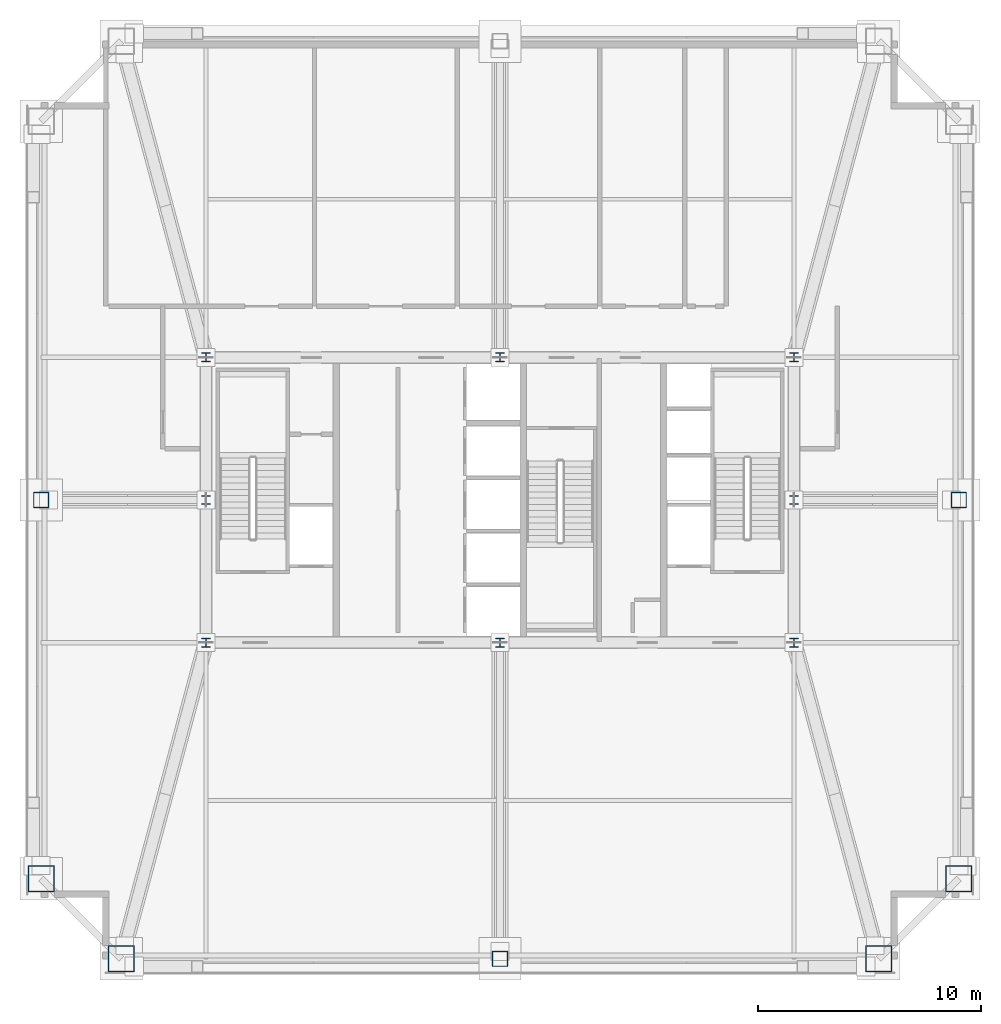
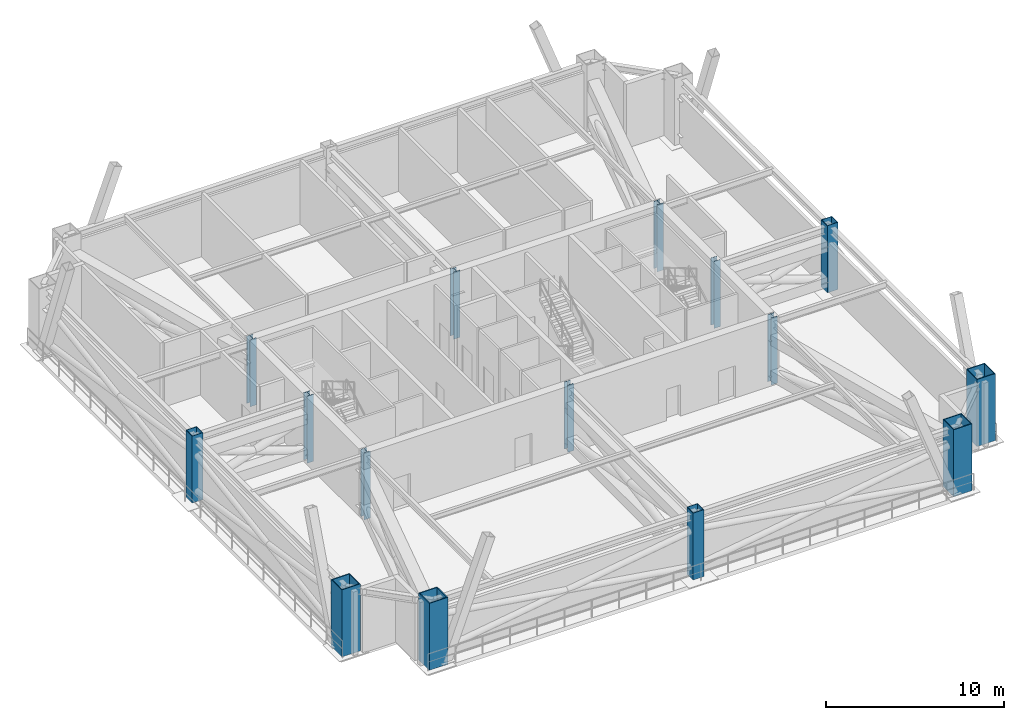
# One storey, part 1 of 9: 15 columns.
"""IFC4 building model written with IfcOpenShell, lengths in metres."""

import ifcopenshell
import ifcopenshell.guid

model = None  # the IFC model being written
_history = None  # IfcOwnerHistory: only IFC2X3 demands one
_inside = {}  # id of a spatial element -> (the spatial element, [elements in it])
_under = {}  # id of a project, library or spatial element -> (it, [spatial elements below it])
_declared = {}  # id of a project -> (the project, [libraries it declares])
_typed = {}  # id of a type object -> (the type object, [elements of that type])
_made_of = {}  # id of a material, layer set ... -> (it, [elements and type objects made of it])


def new_model(schema):
    """Start an empty IFC model of exactly this schema.

    Asked for "IFC4X3", IfcOpenShell would pick the latest addendum, in which some entities
    have other attributes; the version numbers below select the first issue.
    IFC2X3 requires an IfcOwnerHistory on every rooted entity: one is made here for all.
    """
    global model, _history
    if schema == "IFC4X3":
        model = ifcopenshell.file(schema_version=(4, 3, 0, 0))
    else:
        model = ifcopenshell.file(schema=schema)
    _inside.clear()
    _under.clear()
    _declared.clear()
    _typed.clear()
    _made_of.clear()
    _history = None
    if model.schema == "IFC2X3":
        org = make("IfcOrganization", Name="unknown")
        user = make(
            "IfcPersonAndOrganization",
            ThePerson=make("IfcPerson", FamilyName="unknown"),
            TheOrganization=org,
        )
        app = make(
            "IfcApplication",
            ApplicationDeveloper=org,
            Version="unknown",
            ApplicationFullName="unknown",
            ApplicationIdentifier="unknown",
        )
        _history = make(
            "IfcOwnerHistory",
            OwningUser=user,
            OwningApplication=app,
            ChangeAction="ADDED",
            CreationDate=0,
        )
    return model


def make(cls, **values):
    """One entity of the class cls with the attributes given. An attribute that is None is left unset."""
    return model.create_entity(
        cls, **{name: value for name, value in values.items() if value is not None}
    )


def rooted(cls, **values):
    """An entity with a GlobalId (a new one), such as an element, a storey or a relation."""
    return make(cls, GlobalId=ifcopenshell.guid.new(), OwnerHistory=_history, **values)


def si_unit(unit_type, name, prefix=None):
    """IfcSIUnit, for example si_unit("LENGTHUNIT", "METRE", prefix="MILLI")."""
    return make("IfcSIUnit", UnitType=unit_type, Prefix=prefix, Name=name)


def assignment(units):
    """IfcUnitAssignment: the units of a project."""
    return None if units is None else make("IfcUnitAssignment", Units=units)


def point(xyz):
    """IfcCartesianPoint."""
    return None if xyz is None else make("IfcCartesianPoint", Coordinates=xyz)


def direction(xyz):
    """IfcDirection."""
    return None if xyz is None else make("IfcDirection", DirectionRatios=xyz)


def frame(location, z_axis=None, x_axis=None):
    """IfcAxis2Placement3D, a coordinate frame: its origin and axes. An axis left out is left unset."""
    return make(
        "IfcAxis2Placement3D",
        Location=point(location),
        Axis=direction(z_axis),
        RefDirection=direction(x_axis),
    )


def frame_2d(location, x_axis=None):
    """IfcAxis2Placement2D, a coordinate frame in the plane: its origin and x axis."""
    return make(
        "IfcAxis2Placement2D", Location=point(location), RefDirection=direction(x_axis)
    )


def origin():
    """The frame at (0, 0, 0) with its axes left unset."""
    return frame((0.0, 0.0, 0.0))


def origin_2d():
    """The frame at (0, 0) in the plane with its x axis left unset."""
    return frame_2d((0.0, 0.0))


def place(relative_to, where):
    """IfcLocalPlacement: puts the frame where relative to a parent placement (None: the world)."""
    return make(
        "IfcLocalPlacement", PlacementRelTo=relative_to, RelativePlacement=where
    )


def context(
    kind, dimensions, precision=None, world=None, true_north=None, identifier=None
):
    """IfcGeometricRepresentationContext, for example the 3D "Model" context."""
    return make(
        "IfcGeometricRepresentationContext",
        ContextIdentifier=identifier,
        ContextType=kind,
        CoordinateSpaceDimension=dimensions,
        Precision=precision,
        WorldCoordinateSystem=world,
        TrueNorth=true_north,
    )


def subcontext(parent, identifier, kind, view, scale=None):
    """IfcGeometricRepresentationSubContext, for example "Body" below "Model"."""
    return make(
        "IfcGeometricRepresentationSubContext",
        ContextIdentifier=identifier,
        ContextType=kind,
        ParentContext=parent,
        TargetScale=scale,
        TargetView=view,
    )


def project(units=None, contexts=None):
    """IfcProject with its units and contexts."""
    return rooted(
        "IfcProject",
        Name="project",
        RepresentationContexts=contexts,
        UnitsInContext=assignment(units),
    )


def spatial(cls, under=None, at=None, **own):
    """A site, building, storey or space (cls), placed at a placement, below another one or the project."""
    s = rooted(cls, ObjectPlacement=at, **own)
    if under is not None:
        _under.setdefault(under.id(), (under, []))[1].append(s)
    return s


def profile(cls, at=None, kind="AREA", **sizes):
    """A parametric profile (cls). Its sizes go by their IFC names, for example OverallWidth=200.0."""
    return make(cls, ProfileType=kind, Position=at, **sizes)


def hollow_rectangle(**sizes):
    """IfcRectangleHollowProfileDef."""
    return profile("IfcRectangleHollowProfileDef", **sizes)


def i_section(**sizes):
    """IfcIShapeProfileDef."""
    return profile("IfcIShapeProfileDef", **sizes)


def extrude(swept, where, along, depth):
    """IfcExtrudedAreaSolid: the profile swept, set in the frame where, extruded along a direction by depth."""
    return make(
        "IfcExtrudedAreaSolid",
        SweptArea=swept,
        Position=where,
        ExtrudedDirection=direction(along),
        Depth=depth,
    )


def shape(context_of_items, identifier, shape_type, items):
    """IfcShapeRepresentation: the items that make up one representation, for example the "Body"."""
    return make(
        "IfcShapeRepresentation",
        ContextOfItems=context_of_items,
        RepresentationIdentifier=identifier,
        RepresentationType=shape_type,
        Items=items,
    )


def source(mapping_origin, context_of_items, identifier, shape_type, items):
    """IfcRepresentationMap: a shape defined once, which mapped items show again and again."""
    return make(
        "IfcRepresentationMap",
        MappingOrigin=mapping_origin,
        MappedRepresentation=shape(context_of_items, identifier, shape_type, items),
    )


def transform(
    local_origin,
    x_axis=None,
    y_axis=None,
    z_axis=None,
    scale=None,
    scale2=None,
    scale3=None,
    uniform=True,
):
    """IfcCartesianTransformationOperator3D, or its non-uniform kind. x_axis, y_axis, z_axis: its Axis1, 2, 3."""
    if uniform:
        return make(
            "IfcCartesianTransformationOperator3D",
            Axis1=direction(x_axis),
            Axis2=direction(y_axis),
            LocalOrigin=point(local_origin),
            Scale=scale,
            Axis3=direction(z_axis),
        )
    return make(
        "IfcCartesianTransformationOperator3DnonUniform",
        Axis1=direction(x_axis),
        Axis2=direction(y_axis),
        LocalOrigin=point(local_origin),
        Scale=scale,
        Axis3=direction(z_axis),
        Scale2=scale2,
        Scale3=scale3,
    )


def mapped(mapping_source, mapping_target):
    """IfcMappedItem: shows the shape of a source again, moved by a transform."""
    return make(
        "IfcMappedItem", MappingSource=mapping_source, MappingTarget=mapping_target
    )


def material(Name=None, Category=None):
    """IfcMaterial."""
    return make("IfcMaterial", Name=Name, Category=Category)


def material_profile(
    of_material, cross_section, Name=None, Category=None, Priority=None
):
    """IfcMaterialProfile: a cross section and its material."""
    return make(
        "IfcMaterialProfile",
        Name=Name,
        Material=of_material,
        Profile=cross_section,
        Priority=Priority,
        Category=Category,
    )


def profile_set(profiles, Name=None, composite=None):
    """IfcMaterialProfileSet."""
    return make(
        "IfcMaterialProfileSet",
        Name=Name,
        MaterialProfiles=profiles,
        CompositeProfile=composite,
    )


def made_of(thing, what):
    """Note that an element or type object is made of a material, layer set ...; save() writes the relation."""
    if what is not None:
        _made_of.setdefault(what.id(), (what, []))[1].append(thing)
    return thing


def type_object(cls, material=None, **own):
    """A type object (cls), such as IfcWallType, which elements share."""
    return made_of(rooted(cls, **own), material)


def element(
    cls,
    number,
    at=None,
    inside=None,
    cuts=None,
    type_object=None,
    material=None,
    context=None,
    identifier="Body",
    shape_type=None,
    held_by="IfcProductDefinitionShape",
    body=None,
    shapes=None,
    **own,
):
    """One element of the class cls, such as IfcWall. Its Tag is "e" and its number.

    at: its placement. inside: the storey or other place that contains it. cuts: it is an
    opening in that element (IfcRelVoidsElement). A single representation is given by context,
    identifier, shape_type and body (its items); several are given by shapes. held_by: the class
    of the entity that holds the representations. save() writes the other relations.
    """
    e = rooted(cls, Tag="e%d" % number, ObjectPlacement=at, **own)
    if body is not None:
        shapes = [shape(context, identifier, shape_type, body)]
    if shapes is not None:
        e.Representation = make(held_by, Representations=shapes)
    if inside is not None:
        _inside.setdefault(inside.id(), (inside, []))[1].append(e)
    if cuts is not None:
        rooted(
            "IfcRelVoidsElement", RelatingBuildingElement=cuts, RelatedOpeningElement=e
        )
    if type_object is not None:
        _typed.setdefault(type_object.id(), (type_object, []))[1].append(e)
    return made_of(e, material)


def aggregate(whole, parts):
    """IfcRelAggregates: a whole, such as a stair, and the parts it consists of."""
    return rooted("IfcRelAggregates", RelatingObject=whole, RelatedObjects=parts)


def save(model, path):
    """Write the relations noted so far, then the file.

    IfcRelAggregates (storeys below a building ...), IfcRelContainedInSpatialStructure (elements
    in a storey), IfcRelDefinesByType, IfcRelAssociatesMaterial and IfcRelDeclares: one each for
    every whole, place, type object, material and project.
    """
    for whole, parts in _under.values():
        aggregate(whole, parts)
    for where, things in _inside.values():
        rooted(
            "IfcRelContainedInSpatialStructure",
            RelatedElements=things,
            RelatingStructure=where,
        )
    for kind, things in _typed.values():
        rooted("IfcRelDefinesByType", RelatedObjects=things, RelatingType=kind)
    for what, things in _made_of.values():
        rooted("IfcRelAssociatesMaterial", RelatedObjects=things, RelatingMaterial=what)
    for by, libraries in _declared.values():
        rooted("IfcRelDeclares", RelatingContext=by, RelatedDefinitions=libraries)
    model.write(path)


model = new_model("IFC4")

# Units and contexts
model_context = context("Model", 3, precision=1e-05, world=origin(), true_north=direction((0.0, 1.0)))
body_context = subcontext(model_context, "Body", "Model", "MODEL_VIEW")
ifc_project = project(units=[si_unit("LENGTHUNIT", "METRE"), si_unit("AREAUNIT", "SQUARE_METRE"), si_unit("VOLUMEUNIT", "CUBIC_METRE"), si_unit("PLANEANGLEUNIT", "RADIAN"), si_unit("MASSUNIT", "GRAM", prefix="KILO"), si_unit("THERMODYNAMICTEMPERATUREUNIT", "KELVIN"), si_unit("POWERUNIT", "WATT")], contexts=[model_context])

# Site, building, storey
site_placement = place(None, origin())
site = spatial("IfcSite", under=ifc_project, at=site_placement, CompositionType="ELEMENT")
building_placement = place(site_placement, origin())
building = spatial("IfcBuilding", under=site, at=building_placement, Name="Yuzanri Waterfront Tower", CompositionType="ELEMENT")
storey_placement = place(building_placement, frame((0.0, 0.0, 219.5)))
storey = spatial("IfcBuildingStorey", under=building, at=storey_placement, Name="L58", CompositionType="ELEMENT", Elevation=219.5)

# Columns
ifc_material_1 = material(Name="Steel Q355B", Category="steel")
ifc_material_profile_1 = material_profile(ifc_material_1, i_section(OverallWidth=0.39990234375, OverallDepth=0.39990234375, WebThickness=0.012939453125, FlangeThickness=0.02099609375, at=origin_2d()), Name="HW 400x400x13x21")
ifc_profile_set_1 = profile_set([ifc_material_profile_1], Name="Steel Q355B")
column_type_1 = type_object("IfcColumnType", Name="Core Post Q355B HW 400x400x13x21", PredefinedType="COLUMN", material=ifc_profile_set_1)
shared_shape_1 = source(origin(), body_context, "Body", "SweptSolid", [
    extrude(i_section(OverallWidth=0.39990234375, OverallDepth=0.39990234375, WebThickness=0.012939453125, FlangeThickness=0.02099609375, at=origin_2d()), origin(), (0.0, 0.0, 1.0), 4.60009765625),
])
for number, where, z_axis, x_axis, name in (
    (1, (23.800048828125, 19.39990234375, 0.0), (0.0, 0.0, 1.0), (1.0, 0.0, 0.0), "L58 Core Boundary Column CP1"),
    (2, (37.0, 19.39990234375, 0.0), (0.0, 0.0, 1.0), (1.0, 0.0, 0.0), "L58 Core Boundary Column CP2"),
    (3, (50.199951171875, 19.39990234375, 0.0), (0.0, 0.0, 1.0), (1.0, 0.0, 0.0), "L58 Core Boundary Column CP3"),
    (4, (23.800048828125, 25.800048828125, 0.0), (0.0, 0.0, 1.0), (1.0, 0.0, 0.0), "L58 Core Boundary Column CP4"),
    (5, (50.199951171875, 25.800048828125, 0.0), (0.0, 0.0, 1.0), (1.0, 0.0, 0.0), "L58 Core Boundary Column CP5"),
    (6, (23.800048828125, 32.199951171875, 0.0), (0.0, 0.0, 1.0), (1.0, 0.0, 0.0), "L58 Core Boundary Column CP6"),
    (7, (37.0, 32.199951171875, 0.0), (0.0, 0.0, 1.0), (1.0, 0.0, 0.0), "L58 Core Boundary Column CP7"),
    (8, (50.199951171875, 32.199951171875, 0.0), (0.0, 0.0, 1.0), (1.0, 0.0, 0.0), "L58 Core Boundary Column CP8"),
):
    element("IfcColumn", number, at=place(storey_placement, frame(where, z_axis=z_axis, x_axis=x_axis)), inside=storey, type_object=column_type_1, Name=name, PredefinedType="COLUMN", context=body_context, shape_type="MappedRepresentation", body=[
        mapped(shared_shape_1, transform((0.0, 0.0, 0.0), scale=1.0)),
    ])
ifc_material_2 = material(Name="Steel Q390GJC", Category="steel")
ifc_material_profile_2 = material_profile(ifc_material_2, hollow_rectangle(XDim=1.199951171875, YDim=1.199951171875, WallThickness=0.054931640625, at=origin_2d()), Name="RHS 1200x1200x55")
ifc_profile_set_2 = profile_set([ifc_material_profile_2], Name="Steel Q390GJC")
column_type_2 = type_object("IfcColumnType", Name="Mega Column Q390GJC RHS 1200x1200x55", PredefinedType="COLUMN", material=ifc_profile_set_2)
shared_shape_2 = source(origin(), body_context, "Body", "SweptSolid", [
    extrude(hollow_rectangle(XDim=1.199951171875, YDim=1.199951171875, WallThickness=0.054931640625, at=origin_2d()), origin(), (0.0, 0.0, 1.0), 4.60009765625),
])
for number, where, z_axis, x_axis, name in (
    (9, (20.0, 5.199951171875, 0.0), (0.0, 0.0, 1.0), (1.0, 0.0, 0.0), "L58 Perimeter Mega Column S1"),
    (10, (54.0, 5.199951171875, 0.0), (0.0, 0.0, 1.0), (1.0, 0.0, 0.0), "L58 Perimeter Mega Column S3"),
    (11, (16.39990234375, 8.800048828125, 0.0), (0.0, 0.0, 1.0), (1.0, 0.0, 0.0), "L58 Perimeter Mega Column W1"),
    (12, (57.60009765625, 8.800048828125, 0.0), (0.0, 0.0, 1.0), (1.0, 0.0, 0.0), "L58 Perimeter Mega Column E1"),
):
    element("IfcColumn", number, at=place(storey_placement, frame(where, z_axis=z_axis, x_axis=x_axis)), inside=storey, type_object=column_type_2, Name=name, PredefinedType="COLUMN", context=body_context, shape_type="MappedRepresentation", body=[
        mapped(shared_shape_2, transform((0.0, 0.0, 0.0), scale=1.0)),
    ])
ifc_material_3 = material(Name="Steel Q355B", Category="steel")
ifc_material_profile_3 = material_profile(ifc_material_3, hollow_rectangle(XDim=0.699951171875, YDim=0.699951171875, WallThickness=0.031982421875, at=origin_2d()), Name="RHS 700x700x32")
ifc_profile_set_3 = profile_set([ifc_material_profile_3], Name="Steel Q355B")
column_type_3 = type_object("IfcColumnType", Name="Frame Column Q355B RHS 700x700x32", PredefinedType="COLUMN", material=ifc_profile_set_3)
shared_shape_3 = source(origin(), body_context, "Body", "SweptSolid", [
    extrude(hollow_rectangle(XDim=0.699951171875, YDim=0.699951171875, WallThickness=0.031982421875, at=origin_2d()), origin(), (0.0, 0.0, 1.0), 4.60009765625),
])
for number, where, z_axis, x_axis, name in (
    (13, (37.0, 5.199951171875, 0.0), (0.0, 0.0, 1.0), (1.0, 0.0, 0.0), "L58 Perimeter Frame Column S2"),
    (14, (16.39990234375, 25.800048828125, 0.0), (0.0, 0.0, 1.0), (1.0, 0.0, 0.0), "L58 Perimeter Frame Column W2"),
    (15, (57.60009765625, 25.800048828125, 0.0), (0.0, 0.0, 1.0), (1.0, 0.0, 0.0), "L58 Perimeter Frame Column E2"),
):
    element("IfcColumn", number, at=place(storey_placement, frame(where, z_axis=z_axis, x_axis=x_axis)), inside=storey, type_object=column_type_3, Name=name, PredefinedType="COLUMN", context=body_context, shape_type="MappedRepresentation", body=[
        mapped(shared_shape_3, transform((0.0, 0.0, 0.0), scale=1.0)),
    ])

save(model, "model.ifc")
